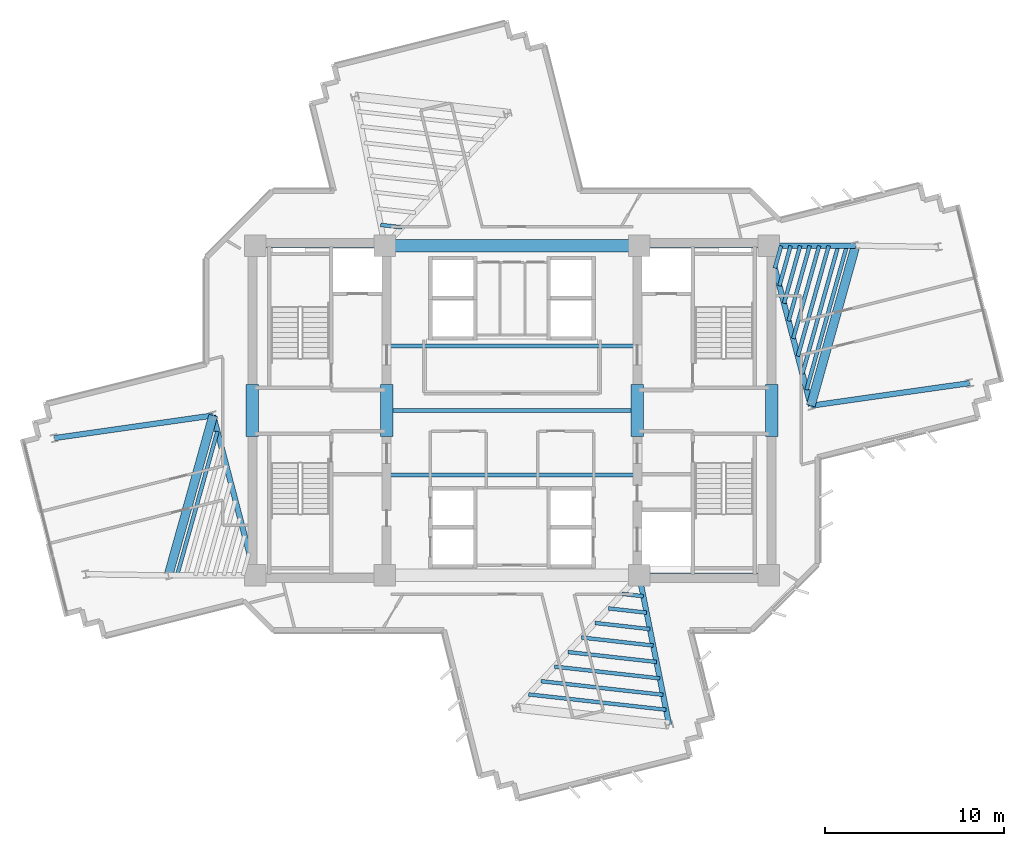
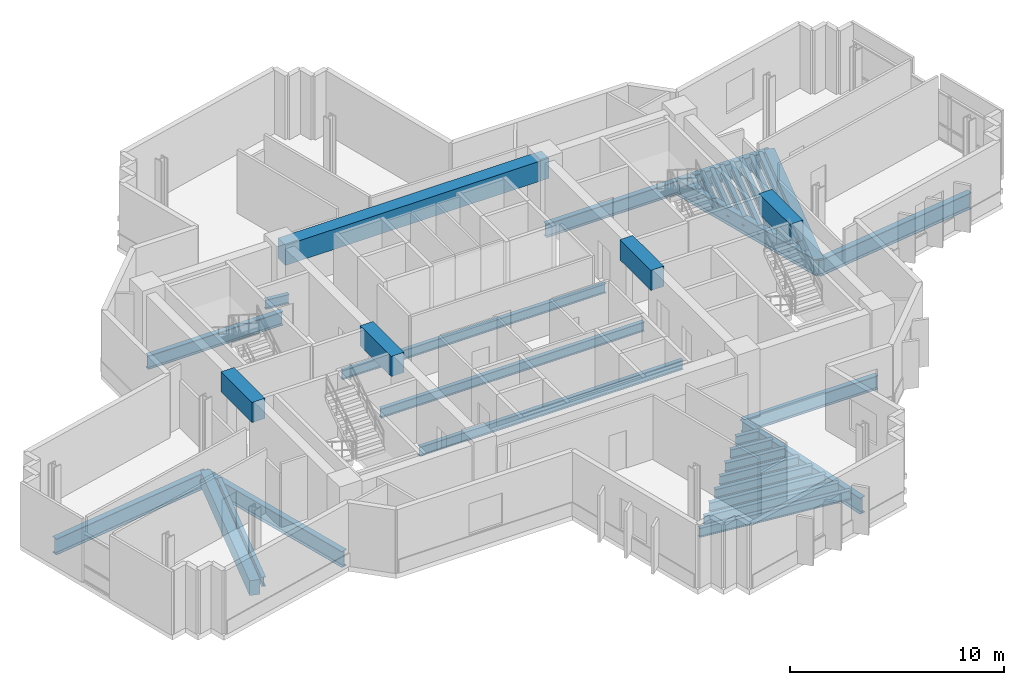
# One storey, part 3 of 13: 37 beams.
"""IFC4 building model written with IfcOpenShell, lengths in metres."""

import ifcopenshell
import ifcopenshell.guid

model = None  # the IFC model being written
_history = None  # IfcOwnerHistory: only IFC2X3 demands one
_inside = {}  # id of a spatial element -> (the spatial element, [elements in it])
_under = {}  # id of a project, library or spatial element -> (it, [spatial elements below it])
_declared = {}  # id of a project -> (the project, [libraries it declares])
_typed = {}  # id of a type object -> (the type object, [elements of that type])
_made_of = {}  # id of a material, layer set ... -> (it, [elements and type objects made of it])


def new_model(schema):
    """Start an empty IFC model of exactly this schema.

    Asked for "IFC4X3", IfcOpenShell would pick the latest addendum, in which some entities
    have other attributes; the version numbers below select the first issue.
    IFC2X3 requires an IfcOwnerHistory on every rooted entity: one is made here for all.
    """
    global model, _history
    if schema == "IFC4X3":
        model = ifcopenshell.file(schema_version=(4, 3, 0, 0))
    else:
        model = ifcopenshell.file(schema=schema)
    _inside.clear()
    _under.clear()
    _declared.clear()
    _typed.clear()
    _made_of.clear()
    _history = None
    if model.schema == "IFC2X3":
        org = make("IfcOrganization", Name="unknown")
        user = make(
            "IfcPersonAndOrganization",
            ThePerson=make("IfcPerson", FamilyName="unknown"),
            TheOrganization=org,
        )
        app = make(
            "IfcApplication",
            ApplicationDeveloper=org,
            Version="unknown",
            ApplicationFullName="unknown",
            ApplicationIdentifier="unknown",
        )
        _history = make(
            "IfcOwnerHistory",
            OwningUser=user,
            OwningApplication=app,
            ChangeAction="ADDED",
            CreationDate=0,
        )
    return model


def make(cls, **values):
    """One entity of the class cls with the attributes given. An attribute that is None is left unset."""
    return model.create_entity(
        cls, **{name: value for name, value in values.items() if value is not None}
    )


def rooted(cls, **values):
    """An entity with a GlobalId (a new one), such as an element, a storey or a relation."""
    return make(cls, GlobalId=ifcopenshell.guid.new(), OwnerHistory=_history, **values)


def si_unit(unit_type, name, prefix=None):
    """IfcSIUnit, for example si_unit("LENGTHUNIT", "METRE", prefix="MILLI")."""
    return make("IfcSIUnit", UnitType=unit_type, Prefix=prefix, Name=name)


def assignment(units):
    """IfcUnitAssignment: the units of a project."""
    return None if units is None else make("IfcUnitAssignment", Units=units)


def point(xyz):
    """IfcCartesianPoint."""
    return None if xyz is None else make("IfcCartesianPoint", Coordinates=xyz)


def direction(xyz):
    """IfcDirection."""
    return None if xyz is None else make("IfcDirection", DirectionRatios=xyz)


def frame(location, z_axis=None, x_axis=None):
    """IfcAxis2Placement3D, a coordinate frame: its origin and axes. An axis left out is left unset."""
    return make(
        "IfcAxis2Placement3D",
        Location=point(location),
        Axis=direction(z_axis),
        RefDirection=direction(x_axis),
    )


def frame_2d(location, x_axis=None):
    """IfcAxis2Placement2D, a coordinate frame in the plane: its origin and x axis."""
    return make(
        "IfcAxis2Placement2D", Location=point(location), RefDirection=direction(x_axis)
    )


def origin():
    """The frame at (0, 0, 0) with its axes left unset."""
    return frame((0.0, 0.0, 0.0))


def origin_2d():
    """The frame at (0, 0) in the plane with its x axis left unset."""
    return frame_2d((0.0, 0.0))


def place(relative_to, where):
    """IfcLocalPlacement: puts the frame where relative to a parent placement (None: the world)."""
    return make(
        "IfcLocalPlacement", PlacementRelTo=relative_to, RelativePlacement=where
    )


def context(
    kind, dimensions, precision=None, world=None, true_north=None, identifier=None
):
    """IfcGeometricRepresentationContext, for example the 3D "Model" context."""
    return make(
        "IfcGeometricRepresentationContext",
        ContextIdentifier=identifier,
        ContextType=kind,
        CoordinateSpaceDimension=dimensions,
        Precision=precision,
        WorldCoordinateSystem=world,
        TrueNorth=true_north,
    )


def subcontext(parent, identifier, kind, view, scale=None):
    """IfcGeometricRepresentationSubContext, for example "Body" below "Model"."""
    return make(
        "IfcGeometricRepresentationSubContext",
        ContextIdentifier=identifier,
        ContextType=kind,
        ParentContext=parent,
        TargetScale=scale,
        TargetView=view,
    )


def project(units=None, contexts=None):
    """IfcProject with its units and contexts."""
    return rooted(
        "IfcProject",
        Name="project",
        RepresentationContexts=contexts,
        UnitsInContext=assignment(units),
    )


def spatial(cls, under=None, at=None, **own):
    """A site, building, storey or space (cls), placed at a placement, below another one or the project."""
    s = rooted(cls, ObjectPlacement=at, **own)
    if under is not None:
        _under.setdefault(under.id(), (under, []))[1].append(s)
    return s


def profile(cls, at=None, kind="AREA", **sizes):
    """A parametric profile (cls). Its sizes go by their IFC names, for example OverallWidth=200.0."""
    return make(cls, ProfileType=kind, Position=at, **sizes)


def rectangle(**sizes):
    """IfcRectangleProfileDef."""
    return profile("IfcRectangleProfileDef", **sizes)


def i_section(**sizes):
    """IfcIShapeProfileDef."""
    return profile("IfcIShapeProfileDef", **sizes)


def extrude(swept, where, along, depth):
    """IfcExtrudedAreaSolid: the profile swept, set in the frame where, extruded along a direction by depth."""
    return make(
        "IfcExtrudedAreaSolid",
        SweptArea=swept,
        Position=where,
        ExtrudedDirection=direction(along),
        Depth=depth,
    )


def shape(context_of_items, identifier, shape_type, items):
    """IfcShapeRepresentation: the items that make up one representation, for example the "Body"."""
    return make(
        "IfcShapeRepresentation",
        ContextOfItems=context_of_items,
        RepresentationIdentifier=identifier,
        RepresentationType=shape_type,
        Items=items,
    )


def source(mapping_origin, context_of_items, identifier, shape_type, items):
    """IfcRepresentationMap: a shape defined once, which mapped items show again and again."""
    return make(
        "IfcRepresentationMap",
        MappingOrigin=mapping_origin,
        MappedRepresentation=shape(context_of_items, identifier, shape_type, items),
    )


def transform(
    local_origin,
    x_axis=None,
    y_axis=None,
    z_axis=None,
    scale=None,
    scale2=None,
    scale3=None,
    uniform=True,
):
    """IfcCartesianTransformationOperator3D, or its non-uniform kind. x_axis, y_axis, z_axis: its Axis1, 2, 3."""
    if uniform:
        return make(
            "IfcCartesianTransformationOperator3D",
            Axis1=direction(x_axis),
            Axis2=direction(y_axis),
            LocalOrigin=point(local_origin),
            Scale=scale,
            Axis3=direction(z_axis),
        )
    return make(
        "IfcCartesianTransformationOperator3DnonUniform",
        Axis1=direction(x_axis),
        Axis2=direction(y_axis),
        LocalOrigin=point(local_origin),
        Scale=scale,
        Axis3=direction(z_axis),
        Scale2=scale2,
        Scale3=scale3,
    )


def mapped(mapping_source, mapping_target):
    """IfcMappedItem: shows the shape of a source again, moved by a transform."""
    return make(
        "IfcMappedItem", MappingSource=mapping_source, MappingTarget=mapping_target
    )


def material(Name=None, Category=None):
    """IfcMaterial."""
    return make("IfcMaterial", Name=Name, Category=Category)


def material_profile(
    of_material, cross_section, Name=None, Category=None, Priority=None
):
    """IfcMaterialProfile: a cross section and its material."""
    return make(
        "IfcMaterialProfile",
        Name=Name,
        Material=of_material,
        Profile=cross_section,
        Priority=Priority,
        Category=Category,
    )


def profile_set(profiles, Name=None, composite=None):
    """IfcMaterialProfileSet."""
    return make(
        "IfcMaterialProfileSet",
        Name=Name,
        MaterialProfiles=profiles,
        CompositeProfile=composite,
    )


def made_of(thing, what):
    """Note that an element or type object is made of a material, layer set ...; save() writes the relation."""
    if what is not None:
        _made_of.setdefault(what.id(), (what, []))[1].append(thing)
    return thing


def type_object(cls, material=None, **own):
    """A type object (cls), such as IfcWallType, which elements share."""
    return made_of(rooted(cls, **own), material)


def element(
    cls,
    number,
    at=None,
    inside=None,
    cuts=None,
    type_object=None,
    material=None,
    context=None,
    identifier="Body",
    shape_type=None,
    held_by="IfcProductDefinitionShape",
    body=None,
    shapes=None,
    **own,
):
    """One element of the class cls, such as IfcWall. Its Tag is "e" and its number.

    at: its placement. inside: the storey or other place that contains it. cuts: it is an
    opening in that element (IfcRelVoidsElement). A single representation is given by context,
    identifier, shape_type and body (its items); several are given by shapes. held_by: the class
    of the entity that holds the representations. save() writes the other relations.
    """
    e = rooted(cls, Tag="e%d" % number, ObjectPlacement=at, **own)
    if body is not None:
        shapes = [shape(context, identifier, shape_type, body)]
    if shapes is not None:
        e.Representation = make(held_by, Representations=shapes)
    if inside is not None:
        _inside.setdefault(inside.id(), (inside, []))[1].append(e)
    if cuts is not None:
        rooted(
            "IfcRelVoidsElement", RelatingBuildingElement=cuts, RelatedOpeningElement=e
        )
    if type_object is not None:
        _typed.setdefault(type_object.id(), (type_object, []))[1].append(e)
    return made_of(e, material)


def aggregate(whole, parts):
    """IfcRelAggregates: a whole, such as a stair, and the parts it consists of."""
    return rooted("IfcRelAggregates", RelatingObject=whole, RelatedObjects=parts)


def save(model, path):
    """Write the relations noted so far, then the file.

    IfcRelAggregates (storeys below a building ...), IfcRelContainedInSpatialStructure (elements
    in a storey), IfcRelDefinesByType, IfcRelAssociatesMaterial and IfcRelDeclares: one each for
    every whole, place, type object, material and project.
    """
    for whole, parts in _under.values():
        aggregate(whole, parts)
    for where, things in _inside.values():
        rooted(
            "IfcRelContainedInSpatialStructure",
            RelatedElements=things,
            RelatingStructure=where,
        )
    for kind, things in _typed.values():
        rooted("IfcRelDefinesByType", RelatedObjects=things, RelatingType=kind)
    for what, things in _made_of.values():
        rooted("IfcRelAssociatesMaterial", RelatedObjects=things, RelatingMaterial=what)
    for by, libraries in _declared.values():
        rooted("IfcRelDeclares", RelatingContext=by, RelatedDefinitions=libraries)
    model.write(path)


model = new_model("IFC4")

# Units and contexts
model_context = context("Model", 3, precision=1e-05, world=origin(), true_north=direction((0.0, 1.0)))
body_context = subcontext(model_context, "Body", "Model", "MODEL_VIEW")
ifc_project = project(units=[si_unit("LENGTHUNIT", "METRE"), si_unit("AREAUNIT", "SQUARE_METRE"), si_unit("VOLUMEUNIT", "CUBIC_METRE"), si_unit("PLANEANGLEUNIT", "RADIAN"), si_unit("MASSUNIT", "GRAM", prefix="KILO")], contexts=[model_context])

# Site, building, storey
site_placement = place(None, origin())
site = spatial("IfcSite", under=ifc_project, at=site_placement, CompositionType="ELEMENT")
building_placement = place(site_placement, origin())
building = spatial("IfcBuilding", under=site, at=building_placement, Name="Zahravan Cultural Tower", CompositionType="ELEMENT")
storey_placement = place(building_placement, frame((0.0, 0.0, 182.39990234375)))
storey = spatial("IfcBuildingStorey", under=building, at=storey_placement, Name="L42", CompositionType="ELEMENT", Elevation=182.39990234375)

# Beams
ifc_material_1 = material(Name="Concrete C50/60", Category="concrete")
ifc_material_profile_1 = material_profile(ifc_material_1, rectangle(XDim=0.699951171875, YDim=1.14990234375, at=origin_2d()), Name="RC700X1150")
ifc_profile_set_1 = profile_set([ifc_material_profile_1], Name="Concrete C50/60")
beam_type_1 = type_object("IfcBeamType", Name="BM-LN-RC700X1150", PredefinedType="LINTEL", material=ifc_profile_set_1)
shared_shape_1 = source(origin(), body_context, "Body", "SweptSolid", [
    extrude(rectangle(XDim=0.699951171875, YDim=1.14990234375, at=origin_2d()), origin(), (0.0, 0.0, 1.0), 14.2001953125),
])
beam_1_placement = place(storey_placement, frame((28.89990234375, 36.199951171875, 3.045166015625), z_axis=(1.0, 0.0, 0.0), x_axis=(0.0, 1.0, 0.0)))
element("IfcBeam", 1, at=beam_1_placement, inside=storey, type_object=beam_type_1, Name="L42 Beam LN-L42-N", PredefinedType="LINTEL", context=body_context, shape_type="MappedRepresentation", body=[
    mapped(shared_shape_1, transform((0.0, 0.0, 0.0), x_axis=(1.0, 0.0, 0.0), y_axis=(0.0, 1.0, 0.0), z_axis=(0.0, 0.0, 1.0), scale=1.0)),
])
shared_shape_2 = source(origin(), body_context, "Body", "SweptSolid", [
    extrude(rectangle(XDim=0.699951171875, YDim=1.14990234375, at=origin_2d()), origin(), (0.0, 0.0, 1.0), 2.89990234375),
])
for number, where, z_axis, x_axis, name in (
    (2, (21.5, 25.550048828125, 3.045166015625), (0.0, 1.0, 0.0), (-1.0, 0.0, 0.0), "L42 Beam LN-L42-PWW"),
    (3, (29.0, 25.550048828125, 3.045166015625), (0.0, 1.0, 0.0), (-1.0, 0.0, 0.0), "L42 Beam LN-L42-PWE"),
    (4, (43.0, 25.550048828125, 3.045166015625), (0.0, 1.0, 0.0), (-1.0, 0.0, 0.0), "L42 Beam LN-L42-PEW"),
    (5, (50.5, 25.550048828125, 3.045166015625), (0.0, 1.0, 0.0), (-1.0, 0.0, 0.0), "L42 Beam LN-L42-PEE"),
):
    element("IfcBeam", number, at=place(storey_placement, frame(where, z_axis=z_axis, x_axis=x_axis)), inside=storey, type_object=beam_type_1, Name=name, PredefinedType="LINTEL", context=body_context, shape_type="MappedRepresentation", body=[
        mapped(shared_shape_2, transform((0.0, 0.0, 0.0), x_axis=(1.0, 0.0, 0.0), y_axis=(0.0, 1.0, 0.0), z_axis=(0.0, 0.0, 1.0), scale=1.0)),
    ])
ifc_material_2 = material(Name="Steel ASTM A992 Grade 50", Category="steel")
ifc_material_profile_2 = material_profile(ifc_material_2, i_section(OverallWidth=0.26611328125, OverallDepth=0.780029296875, WebThickness=0.0166015625, FlangeThickness=0.030029296875, FilletRadius=0.01904296875, at=origin_2d()), Name="W30X148")
ifc_profile_set_2 = profile_set([ifc_material_profile_2], Name="Steel ASTM A992 Grade 50")
beam_type_2 = type_object("IfcBeamType", Name="BM-G-W30X148", PredefinedType="BEAM", material=ifc_profile_set_2)
shared_shape_3 = source(origin(), body_context, "Body", "SweptSolid", [
    extrude(i_section(OverallWidth=0.26611328125, OverallDepth=0.780029296875, WebThickness=0.0166015625, FlangeThickness=0.030029296875, FilletRadius=0.01904296875, at=origin_2d()), origin(), (0.0, 0.0, 1.0), 7.25),
])
for number, where, z_axis, x_axis, name in (
    (6, (21.64990234375, 36.199951171875, -0.669921875), (1.0, 0.0, 0.0), (0.0, 1.0, 0.0), "L42 Beam BG-L42-02"),
    (7, (43.10009765625, 17.800048828125, -0.669921875), (1.0, 0.0, 0.0), (0.0, 1.0, 0.0), "L42 Beam BG-L42-04"),
    (8, (43.10009765625, 36.199951171875, -0.669921875), (1.0, 0.0, 0.0), (0.0, 1.0, 0.0), "L42 Beam BG-L42-05"),
):
    element("IfcBeam", number, at=place(storey_placement, frame(where, z_axis=z_axis, x_axis=x_axis)), inside=storey, type_object=beam_type_2, Name=name, PredefinedType="BEAM", context=body_context, shape_type="MappedRepresentation", body=[
        mapped(shared_shape_3, transform((0.0, 0.0, 0.0), x_axis=(1.0, 0.0, 0.0), y_axis=(0.0, 1.0, 0.0), z_axis=(0.0, 0.0, 1.0), scale=1.0)),
    ])
ifc_material_profile_3 = material_profile(ifc_material_2, i_section(OverallWidth=0.304931640625, OverallDepth=0.9189453125, WebThickness=0.017333984375, FlangeThickness=0.02783203125, FilletRadius=0.02392578125, at=origin_2d()), Name="W36X170")
ifc_profile_set_3 = profile_set([ifc_material_profile_3], Name="Steel ASTM A992 Grade 50")
beam_type_3 = type_object("IfcBeamType", Name="BM-G-W36X170", PredefinedType="BEAM", material=ifc_profile_set_3)
shared_shape_4 = source(origin(), body_context, "Body", "SweptSolid", [
    extrude(i_section(OverallWidth=0.304931640625, OverallDepth=0.9189453125, WebThickness=0.017333984375, FlangeThickness=0.02783203125, FilletRadius=0.02392578125, at=origin_2d()), origin(), (0.0, 0.0, 1.0), 9.22900390625),
])
for number, where, z_axis, x_axis, name in (
    (9, (21.64990234375, 17.800048828125, -0.739501953125), (-0.252922608408, 0.967486513682, 0.0), (-0.967486513682, -0.252922608408, 0.0), "L42 Beam BG-L42-07"),
    (10, (50.35009765625, 36.199951171875, -0.739501953125), (0.252922608408, -0.967486513682, 0.0), (0.967486513682, 0.252922608408, 0.0), "L42 Beam BG-L42-11"),
):
    element("IfcBeam", number, at=place(storey_placement, frame(where, z_axis=z_axis, x_axis=x_axis)), inside=storey, type_object=beam_type_3, Name=name, PredefinedType="BEAM", context=body_context, shape_type="MappedRepresentation", body=[
        mapped(shared_shape_4, transform((0.0, 0.0, 0.0), x_axis=(1.0, 0.0, 0.0), y_axis=(0.0, 1.0, 0.0), z_axis=(0.0, 0.0, 1.0), scale=1.0)),
    ])
shared_shape_5 = source(origin(), body_context, "Body", "SweptSolid", [
    extrude(i_section(OverallWidth=0.304931640625, OverallDepth=0.9189453125, WebThickness=0.017333984375, FlangeThickness=0.02783203125, FilletRadius=0.02392578125, at=origin_2d()), origin(), (0.0, 0.0, 1.0), 4.834716796875),
])
beam_2_placement = place(storey_placement, frame((50.35009765625, 36.199951171875, -0.739501953125), z_axis=(0.99999920313, 0.001262433979, 0.0), x_axis=(-0.001262433979, 0.99999920313, 0.0)))
element("IfcBeam", 11, at=beam_2_placement, inside=storey, type_object=beam_type_3, Name="L42 Beam BG-L42-12", PredefinedType="BEAM", context=body_context, shape_type="MappedRepresentation", body=[
    mapped(shared_shape_5, transform((0.0, 0.0, 0.0), x_axis=(1.0, 0.0, 0.0), y_axis=(0.0, 1.0, 0.0), z_axis=(0.0, 0.0, 1.0), scale=1.0)),
])
shared_shape_6 = source(origin(), body_context, "Body", "SweptSolid", [
    extrude(i_section(OverallWidth=0.304931640625, OverallDepth=0.9189453125, WebThickness=0.017333984375, FlangeThickness=0.02783203125, FilletRadius=0.02392578125, at=origin_2d()), origin(), (0.0, 0.0, 1.0), 8.50732421875),
])
beam_3_placement = place(storey_placement, frame((43.10009765625, 17.800048828125, -0.739501953125), z_axis=(0.196524514012, -0.980498911469, 0.0), x_axis=(0.980498911469, 0.196524514012, 0.0)))
element("IfcBeam", 12, at=beam_3_placement, inside=storey, type_object=beam_type_3, Name="L42 Beam BG-L42-10", PredefinedType="BEAM", context=body_context, shape_type="MappedRepresentation", body=[
    mapped(shared_shape_6, transform((0.0, 0.0, 0.0), x_axis=(1.0, 0.0, 0.0), y_axis=(0.0, 1.0, 0.0), z_axis=(0.0, 0.0, 1.0), scale=1.0)),
])
shared_shape_7 = source(origin(), body_context, "Body", "SweptSolid", [
    extrude(i_section(OverallWidth=0.304931640625, OverallDepth=0.9189453125, WebThickness=0.017333984375, FlangeThickness=0.02783203125, FilletRadius=0.02392578125, at=origin_2d()), origin(), (0.0, 0.0, 1.0), 8.9580078125),
])
for number, where, z_axis, x_axis, name in (
    (13, (52.684326171875, 27.27099609375, -0.739501953125), (0.990000122431, 0.141066500584, 0.0), (-0.141066500584, 0.990000122431, 0.0), "L42 Beam BG-L42-15"),
    (14, (19.315673828125, 26.72900390625, -0.739501953125), (-0.990000122431, -0.141066500584, 0.0), (0.141066500584, -0.990000122431, 0.0), "L42 Beam BG-L42-17"),
):
    element("IfcBeam", number, at=place(storey_placement, frame(where, z_axis=z_axis, x_axis=x_axis)), inside=storey, type_object=beam_type_3, Name=name, PredefinedType="BEAM", context=body_context, shape_type="MappedRepresentation", body=[
        mapped(shared_shape_7, transform((0.0, 0.0, 0.0), x_axis=(1.0, 0.0, 0.0), y_axis=(0.0, 1.0, 0.0), z_axis=(0.0, 0.0, 1.0), scale=1.0)),
    ])
ifc_material_profile_4 = material_profile(ifc_material_1, rectangle(XDim=0.5, YDim=0.85009765625, at=origin_2d()), Name="RC500X850")
ifc_profile_set_4 = profile_set([ifc_material_profile_4], Name="Concrete C50/60")
beam_type_4 = type_object("IfcBeamType", Name="BM-SP-RC500X850", PredefinedType="SPANDREL", material=ifc_profile_set_4)
shared_shape_8 = source(origin(), body_context, "Body", "SweptSolid", [
    extrude(rectangle(XDim=0.5, YDim=0.85009765625, at=origin_2d()), origin(), (0.0, 0.0, 1.0), 9.2783203125),
])
for number, where, z_axis, x_axis, name in (
    (15, (19.315673828125, 26.72900390625, -0.704833984375), (-0.269497187032, -0.963001176625, 0.0), (0.963001176625, -0.269497187032, 0.0), "L42 Beam SP-L42-19"),
    (16, (52.684326171875, 27.27099609375, -0.704833984375), (0.269497187032, 0.963001176625, 0.0), (-0.963001176625, 0.269497187032, 0.0), "L42 Beam SP-L42-21"),
):
    element("IfcBeam", number, at=place(storey_placement, frame(where, z_axis=z_axis, x_axis=x_axis)), inside=storey, type_object=beam_type_4, Name=name, PredefinedType="SPANDREL", context=body_context, shape_type="MappedRepresentation", body=[
        mapped(shared_shape_8, transform((0.0, 0.0, 0.0), x_axis=(1.0, 0.0, 0.0), y_axis=(0.0, 1.0, 0.0), z_axis=(0.0, 0.0, 1.0), scale=1.0)),
    ])
ifc_material_profile_5 = material_profile(ifc_material_2, i_section(OverallWidth=0.2099609375, OverallDepth=0.532958984375, WebThickness=0.01025390625, FlangeThickness=0.015625, FilletRadius=0.013916015625, at=origin_2d()), Name="W21X62")
ifc_profile_set_5 = profile_set([ifc_material_profile_5], Name="Steel ASTM A992 Grade 50")
beam_type_5 = type_object("IfcBeamType", Name="BM-J-W21X62", PredefinedType="JOIST", material=ifc_profile_set_5)
shared_shape_9 = source(origin(), body_context, "Body", "SweptSolid", [
    extrude(i_section(OverallWidth=0.2099609375, OverallDepth=0.532958984375, WebThickness=0.01025390625, FlangeThickness=0.015625, FilletRadius=0.013916015625, at=origin_2d()), origin(), (0.0, 0.0, 1.0), 14.2001953125),
])
for number, where, z_axis, x_axis, name in (
    (17, (28.89990234375, 23.39990234375, -0.54638671875), (1.0, 0.0, 0.0), (0.0, 1.0, 0.0), "L42 Beam BJ-L42-23"),
    (18, (28.89990234375, 27.0, -0.54638671875), (1.0, 0.0, 0.0), (0.0, 1.0, 0.0), "L42 Beam BJ-L42-24"),
    (19, (28.89990234375, 30.60009765625, -0.54638671875), (1.0, 0.0, 0.0), (0.0, 1.0, 0.0), "L42 Beam BJ-L42-25"),
):
    element("IfcBeam", number, at=place(storey_placement, frame(where, z_axis=z_axis, x_axis=x_axis)), inside=storey, type_object=beam_type_5, Name=name, PredefinedType="JOIST", context=body_context, shape_type="MappedRepresentation", body=[
        mapped(shared_shape_9, transform((0.0, 0.0, 0.0), x_axis=(1.0, 0.0, 0.0), y_axis=(0.0, 1.0, 0.0), z_axis=(0.0, 0.0, 1.0), scale=1.0)),
    ])
shared_shape_10 = source(origin(), body_context, "Body", "SweptSolid", [
    extrude(i_section(OverallWidth=0.2099609375, OverallDepth=0.532958984375, WebThickness=0.01025390625, FlangeThickness=0.015625, FilletRadius=0.013916015625, at=origin_2d()), origin(), (0.0, 0.0, 1.0), 1.299072265625),
])
beam_4_placement = place(storey_placement, frame((50.6767578125, 34.949951171875, -0.54638671875), z_axis=(0.269504444708, 0.962999145525, 0.0), x_axis=(-0.962999145525, 0.269504444708, 0.0)))
element("IfcBeam", 20, at=beam_4_placement, inside=storey, type_object=beam_type_5, Name="L42 Beam BJ-L42-42", PredefinedType="JOIST", context=body_context, shape_type="MappedRepresentation", body=[
    mapped(shared_shape_10, transform((0.0, 0.0, 0.0), x_axis=(1.0, 0.0, 0.0), y_axis=(0.0, 1.0, 0.0), z_axis=(0.0, 0.0, 1.0), scale=1.0)),
])
shared_shape_11 = source(origin(), body_context, "Body", "SweptSolid", [
    extrude(i_section(OverallWidth=0.2099609375, OverallDepth=0.532958984375, WebThickness=0.01025390625, FlangeThickness=0.015625, FilletRadius=0.013916015625, at=origin_2d()), origin(), (0.0, 0.0, 1.0), 2.3193359375),
])
beam_5_placement = place(storey_placement, frame((50.93359375, 33.9677734375, -0.54638671875), z_axis=(0.269462038626, 0.963011012263, 0.0), x_axis=(-0.963011012263, 0.269462038626, 0.0)))
element("IfcBeam", 21, at=beam_5_placement, inside=storey, type_object=beam_type_5, Name="L42 Beam BJ-L42-43", PredefinedType="JOIST", context=body_context, shape_type="MappedRepresentation", body=[
    mapped(shared_shape_11, transform((0.0, 0.0, 0.0), x_axis=(1.0, 0.0, 0.0), y_axis=(0.0, 1.0, 0.0), z_axis=(0.0, 0.0, 1.0), scale=1.0)),
])
shared_shape_12 = source(origin(), body_context, "Body", "SweptSolid", [
    extrude(i_section(OverallWidth=0.2099609375, OverallDepth=0.532958984375, WebThickness=0.01025390625, FlangeThickness=0.015625, FilletRadius=0.013916015625, at=origin_2d()), origin(), (0.0, 0.0, 1.0), 3.340087890625),
])
beam_6_placement = place(storey_placement, frame((51.190185546875, 32.985595703125, -0.54638671875), z_axis=(0.269562146951, 0.962982995141, 0.0), x_axis=(-0.962982995141, 0.269562146951, 0.0)))
element("IfcBeam", 22, at=beam_6_placement, inside=storey, type_object=beam_type_5, Name="L42 Beam BJ-L42-44", PredefinedType="JOIST", context=body_context, shape_type="MappedRepresentation", body=[
    mapped(shared_shape_12, transform((0.0, 0.0, 0.0), x_axis=(1.0, 0.0, 0.0), y_axis=(0.0, 1.0, 0.0), z_axis=(0.0, 0.0, 1.0), scale=1.0)),
])
shared_shape_13 = source(origin(), body_context, "Body", "SweptSolid", [
    extrude(i_section(OverallWidth=0.2099609375, OverallDepth=0.532958984375, WebThickness=0.01025390625, FlangeThickness=0.015625, FilletRadius=0.013916015625, at=origin_2d()), origin(), (0.0, 0.0, 1.0), 4.36083984375),
])
beam_7_placement = place(storey_placement, frame((51.447021484375, 32.00341796875, -0.54638671875), z_axis=(0.269511557673, 0.962997154866, 0.0), x_axis=(-0.962997154866, 0.269511557673, 0.0)))
element("IfcBeam", 23, at=beam_7_placement, inside=storey, type_object=beam_type_5, Name="L42 Beam BJ-L42-45", PredefinedType="JOIST", context=body_context, shape_type="MappedRepresentation", body=[
    mapped(shared_shape_13, transform((0.0, 0.0, 0.0), x_axis=(1.0, 0.0, 0.0), y_axis=(0.0, 1.0, 0.0), z_axis=(0.0, 0.0, 1.0), scale=1.0)),
])
shared_shape_14 = source(origin(), body_context, "Body", "SweptSolid", [
    extrude(i_section(OverallWidth=0.2099609375, OverallDepth=0.532958984375, WebThickness=0.01025390625, FlangeThickness=0.015625, FilletRadius=0.013916015625, at=origin_2d()), origin(), (0.0, 0.0, 1.0), 5.3818359375),
])
beam_8_placement = place(storey_placement, frame((51.703857421875, 31.02099609375, -0.54638671875), z_axis=(0.269510454638, 0.962997463569, 0.0), x_axis=(-0.962997463569, 0.269510454638, 0.0)))
element("IfcBeam", 24, at=beam_8_placement, inside=storey, type_object=beam_type_5, Name="L42 Beam BJ-L42-46", PredefinedType="JOIST", context=body_context, shape_type="MappedRepresentation", body=[
    mapped(shared_shape_14, transform((0.0, 0.0, 0.0), x_axis=(1.0, 0.0, 0.0), y_axis=(0.0, 1.0, 0.0), z_axis=(0.0, 0.0, 1.0), scale=1.0)),
])
shared_shape_15 = source(origin(), body_context, "Body", "SweptSolid", [
    extrude(i_section(OverallWidth=0.2099609375, OverallDepth=0.532958984375, WebThickness=0.01025390625, FlangeThickness=0.015625, FilletRadius=0.013916015625, at=origin_2d()), origin(), (0.0, 0.0, 1.0), 6.402099609375),
])
beam_9_placement = place(storey_placement, frame((51.960693359375, 30.038818359375, -0.54638671875), z_axis=(0.269494133533, 0.963002031146, 0.0), x_axis=(-0.963002031146, 0.269494133533, 0.0)))
element("IfcBeam", 25, at=beam_9_placement, inside=storey, type_object=beam_type_5, Name="L42 Beam BJ-L42-47", PredefinedType="JOIST", context=body_context, shape_type="MappedRepresentation", body=[
    mapped(shared_shape_15, transform((0.0, 0.0, 0.0), x_axis=(1.0, 0.0, 0.0), y_axis=(0.0, 1.0, 0.0), z_axis=(0.0, 0.0, 1.0), scale=1.0)),
])
shared_shape_16 = source(origin(), body_context, "Body", "SweptSolid", [
    extrude(i_section(OverallWidth=0.2099609375, OverallDepth=0.532958984375, WebThickness=0.01025390625, FlangeThickness=0.015625, FilletRadius=0.013916015625, at=origin_2d()), origin(), (0.0, 0.0, 1.0), 7.4228515625),
])
beam_10_placement = place(storey_placement, frame((52.21728515625, 29.056640625, -0.54638671875), z_axis=(0.269504266128, 0.962999195503, 0.0), x_axis=(-0.962999195503, 0.269504266128, 0.0)))
element("IfcBeam", 26, at=beam_10_placement, inside=storey, type_object=beam_type_5, Name="L42 Beam BJ-L42-48", PredefinedType="JOIST", context=body_context, shape_type="MappedRepresentation", body=[
    mapped(shared_shape_16, transform((0.0, 0.0, 0.0), x_axis=(1.0, 0.0, 0.0), y_axis=(0.0, 1.0, 0.0), z_axis=(0.0, 0.0, 1.0), scale=1.0)),
])
shared_shape_17 = source(origin(), body_context, "Body", "SweptSolid", [
    extrude(i_section(OverallWidth=0.2099609375, OverallDepth=0.532958984375, WebThickness=0.01025390625, FlangeThickness=0.015625, FilletRadius=0.013916015625, at=origin_2d()), origin(), (0.0, 0.0, 1.0), 8.350830078125),
])
for number, where, z_axis, x_axis, name in (
    (27, (19.549072265625, 25.836181640625, -0.54638671875), (-0.269496539555, -0.963001357822, 0.0), (0.963001357822, -0.269496539555, 0.0), "L42 Beam BJ-L42-33"),
    (28, (52.450927734375, 28.163818359375, -0.54638671875), (0.269496539555, 0.963001357822, 0.0), (-0.963001357822, 0.269496539555, 0.0), "L42 Beam BJ-L42-49"),
):
    element("IfcBeam", number, at=place(storey_placement, frame(where, z_axis=z_axis, x_axis=x_axis)), inside=storey, type_object=beam_type_5, Name=name, PredefinedType="JOIST", context=body_context, shape_type="MappedRepresentation", body=[
        mapped(shared_shape_17, transform((0.0, 0.0, 0.0), x_axis=(1.0, 0.0, 0.0), y_axis=(0.0, 1.0, 0.0), z_axis=(0.0, 0.0, 1.0), scale=1.0)),
    ])
shared_shape_18 = source(origin(), body_context, "Body", "SweptSolid", [
    extrude(i_section(OverallWidth=0.2099609375, OverallDepth=0.532958984375, WebThickness=0.01025390625, FlangeThickness=0.015625, FilletRadius=0.013916015625, at=origin_2d()), origin(), (0.0, 0.0, 1.0), 1.201171875),
])
for number, where, z_axis, x_axis, name in (
    (29, (42.140380859375, 16.765625, -0.54638671875), (0.99379916149, -0.111190047317, 0.0), (0.111190047317, 0.99379916149, 0.0), "L42 Beam BJ-L42-34"),
    (30, (29.859619140625, 37.234375, -0.54638671875), (-0.99379916149, 0.111190047317, 0.0), (-0.111190047317, -0.99379916149, 0.0), "L42 Beam BJ-L42-50"),
):
    element("IfcBeam", number, at=place(storey_placement, frame(where, z_axis=z_axis, x_axis=x_axis)), inside=storey, type_object=beam_type_5, Name=name, PredefinedType="JOIST", context=body_context, shape_type="MappedRepresentation", body=[
        mapped(shared_shape_18, transform((0.0, 0.0, 0.0), x_axis=(1.0, 0.0, 0.0), y_axis=(0.0, 1.0, 0.0), z_axis=(0.0, 0.0, 1.0), scale=1.0)),
    ])
shared_shape_19 = source(origin(), body_context, "Body", "SweptSolid", [
    extrude(i_section(OverallWidth=0.2099609375, OverallDepth=0.532958984375, WebThickness=0.01025390625, FlangeThickness=0.015625, FilletRadius=0.013916015625, at=origin_2d()), origin(), (0.0, 0.0, 1.0), 2.144775390625),
])
beam_11_placement = place(storey_placement, frame((41.386474609375, 15.953125, -0.54638671875), z_axis=(0.993797370806, -0.111206051, 0.0), x_axis=(0.111206051, 0.993797370806, 0.0)))
element("IfcBeam", 31, at=beam_11_placement, inside=storey, type_object=beam_type_5, Name="L42 Beam BJ-L42-35", PredefinedType="JOIST", context=body_context, shape_type="MappedRepresentation", body=[
    mapped(shared_shape_19, transform((0.0, 0.0, 0.0), x_axis=(1.0, 0.0, 0.0), y_axis=(0.0, 1.0, 0.0), z_axis=(0.0, 0.0, 1.0), scale=1.0)),
])
shared_shape_20 = source(origin(), body_context, "Body", "SweptSolid", [
    extrude(i_section(OverallWidth=0.2099609375, OverallDepth=0.532958984375, WebThickness=0.01025390625, FlangeThickness=0.015625, FilletRadius=0.013916015625, at=origin_2d()), origin(), (0.0, 0.0, 1.0), 3.088623046875),
])
beam_12_placement = place(storey_placement, frame((40.63232421875, 15.140380859375, -0.54638671875), z_axis=(0.993805407368, -0.111134208443, 0.0), x_axis=(0.111134208443, 0.993805407368, 0.0)))
element("IfcBeam", 32, at=beam_12_placement, inside=storey, type_object=beam_type_5, Name="L42 Beam BJ-L42-36", PredefinedType="JOIST", context=body_context, shape_type="MappedRepresentation", body=[
    mapped(shared_shape_20, transform((0.0, 0.0, 0.0), x_axis=(1.0, 0.0, 0.0), y_axis=(0.0, 1.0, 0.0), z_axis=(0.0, 0.0, 1.0), scale=1.0)),
])
shared_shape_21 = source(origin(), body_context, "Body", "SweptSolid", [
    extrude(i_section(OverallWidth=0.2099609375, OverallDepth=0.532958984375, WebThickness=0.01025390625, FlangeThickness=0.015625, FilletRadius=0.013916015625, at=origin_2d()), origin(), (0.0, 0.0, 1.0), 4.0322265625),
])
beam_13_placement = place(storey_placement, frame((39.87841796875, 14.327880859375, -0.54638671875), z_axis=(0.993802245601, -0.11116247855, 0.0), x_axis=(0.11116247855, 0.993802245601, 0.0)))
element("IfcBeam", 33, at=beam_13_placement, inside=storey, type_object=beam_type_5, Name="L42 Beam BJ-L42-37", PredefinedType="JOIST", context=body_context, shape_type="MappedRepresentation", body=[
    mapped(shared_shape_21, transform((0.0, 0.0, 0.0), x_axis=(1.0, 0.0, 0.0), y_axis=(0.0, 1.0, 0.0), z_axis=(0.0, 0.0, 1.0), scale=1.0)),
])
shared_shape_22 = source(origin(), body_context, "Body", "SweptSolid", [
    extrude(i_section(OverallWidth=0.2099609375, OverallDepth=0.532958984375, WebThickness=0.01025390625, FlangeThickness=0.015625, FilletRadius=0.013916015625, at=origin_2d()), origin(), (0.0, 0.0, 1.0), 4.97607421875),
])
beam_14_placement = place(storey_placement, frame((39.124267578125, 13.51513671875, -0.54638671875), z_axis=(0.993806308517, -0.111126149723, 0.0), x_axis=(0.111126149723, 0.993806308517, 0.0)))
element("IfcBeam", 34, at=beam_14_placement, inside=storey, type_object=beam_type_5, Name="L42 Beam BJ-L42-38", PredefinedType="JOIST", context=body_context, shape_type="MappedRepresentation", body=[
    mapped(shared_shape_22, transform((0.0, 0.0, 0.0), x_axis=(1.0, 0.0, 0.0), y_axis=(0.0, 1.0, 0.0), z_axis=(0.0, 0.0, 1.0), scale=1.0)),
])
shared_shape_23 = source(origin(), body_context, "Body", "SweptSolid", [
    extrude(i_section(OverallWidth=0.2099609375, OverallDepth=0.532958984375, WebThickness=0.01025390625, FlangeThickness=0.015625, FilletRadius=0.013916015625, at=origin_2d()), origin(), (0.0, 0.0, 1.0), 5.919921875),
])
beam_15_placement = place(storey_placement, frame((38.370361328125, 12.70263671875, -0.54638671875), z_axis=(0.993804520866, -0.111142135602, 0.0), x_axis=(0.111142135602, 0.993804520866, 0.0)))
element("IfcBeam", 35, at=beam_15_placement, inside=storey, type_object=beam_type_5, Name="L42 Beam BJ-L42-39", PredefinedType="JOIST", context=body_context, shape_type="MappedRepresentation", body=[
    mapped(shared_shape_23, transform((0.0, 0.0, 0.0), x_axis=(1.0, 0.0, 0.0), y_axis=(0.0, 1.0, 0.0), z_axis=(0.0, 0.0, 1.0), scale=1.0)),
])
shared_shape_24 = source(origin(), body_context, "Body", "SweptSolid", [
    extrude(i_section(OverallWidth=0.2099609375, OverallDepth=0.532958984375, WebThickness=0.01025390625, FlangeThickness=0.015625, FilletRadius=0.013916015625, at=origin_2d()), origin(), (0.0, 0.0, 1.0), 6.86376953125),
])
beam_16_placement = place(storey_placement, frame((37.6162109375, 11.889892578125, -0.54638671875), z_axis=(0.993803224695, -0.111153725024, 0.0), x_axis=(0.111153725024, 0.993803224695, 0.0)))
element("IfcBeam", 36, at=beam_16_placement, inside=storey, type_object=beam_type_5, Name="L42 Beam BJ-L42-40", PredefinedType="JOIST", context=body_context, shape_type="MappedRepresentation", body=[
    mapped(shared_shape_24, transform((0.0, 0.0, 0.0), x_axis=(1.0, 0.0, 0.0), y_axis=(0.0, 1.0, 0.0), z_axis=(0.0, 0.0, 1.0), scale=1.0)),
])
shared_shape_25 = source(origin(), body_context, "Body", "SweptSolid", [
    extrude(i_section(OverallWidth=0.2099609375, OverallDepth=0.532958984375, WebThickness=0.01025390625, FlangeThickness=0.015625, FilletRadius=0.013916015625, at=origin_2d()), origin(), (0.0, 0.0, 1.0), 7.7216796875),
])
beam_17_placement = place(storey_placement, frame((36.930908203125, 11.151123046875, -0.54638671875), z_axis=(0.993805212115, -0.11113595446, 0.0), x_axis=(0.11113595446, 0.993805212115, 0.0)))
element("IfcBeam", 37, at=beam_17_placement, inside=storey, type_object=beam_type_5, Name="L42 Beam BJ-L42-41", PredefinedType="JOIST", context=body_context, shape_type="MappedRepresentation", body=[
    mapped(shared_shape_25, transform((0.0, 0.0, 0.0), x_axis=(1.0, 0.0, 0.0), y_axis=(0.0, 1.0, 0.0), z_axis=(0.0, 0.0, 1.0), scale=1.0)),
])

save(model, "model.ifc")
